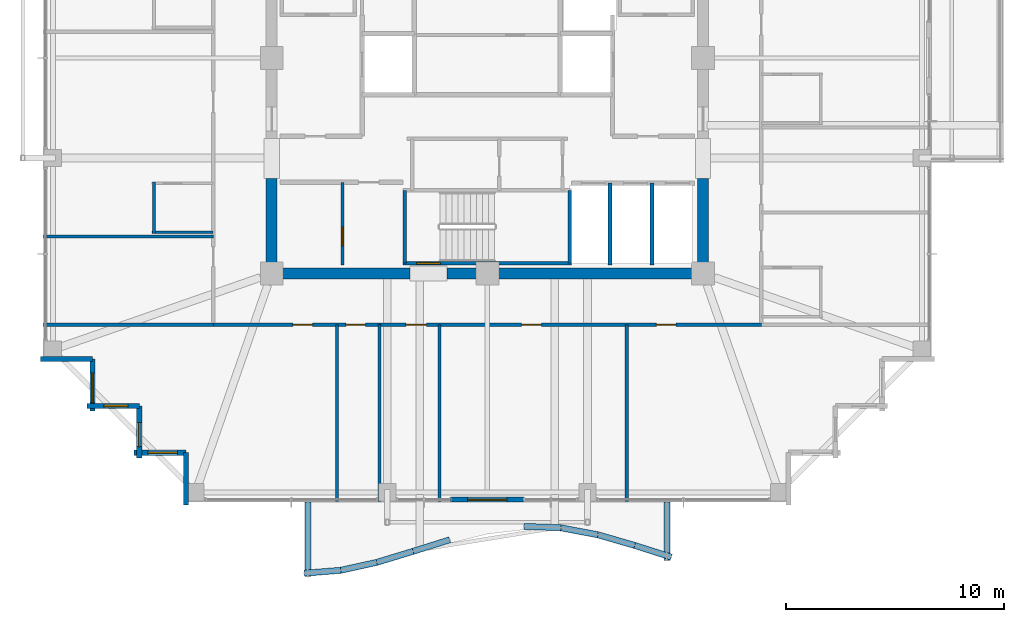
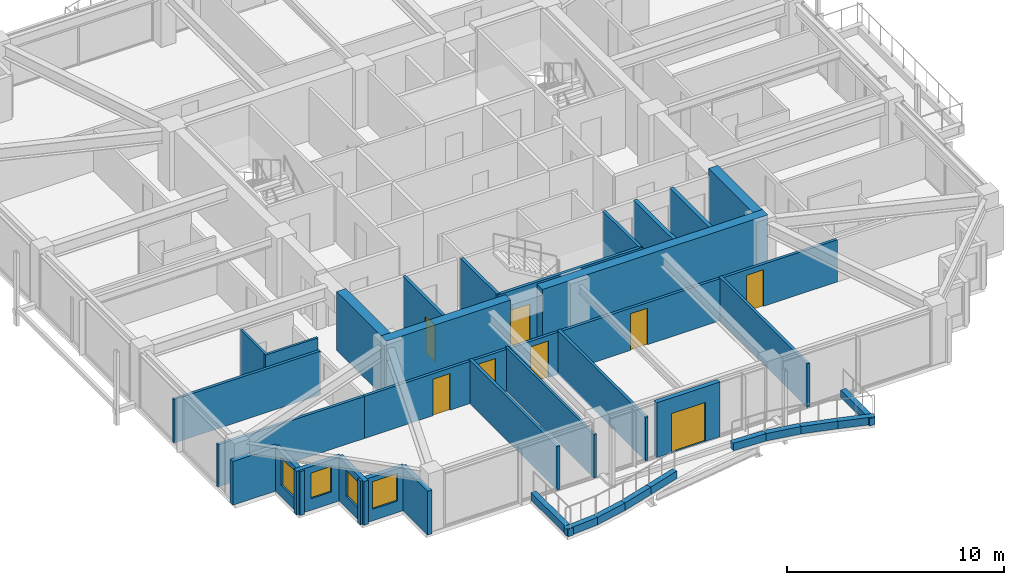
# One storey, part 32 of 38: 36 walls, 8 doors, 4 windows, 12 openings.
"""IFC4 building model written with IfcOpenShell, lengths in metres."""

import ifcopenshell
import ifcopenshell.guid

model = None  # the IFC model being written
_history = None  # IfcOwnerHistory: only IFC2X3 demands one
_inside = {}  # id of a spatial element -> (the spatial element, [elements in it])
_under = {}  # id of a project, library or spatial element -> (it, [spatial elements below it])
_declared = {}  # id of a project -> (the project, [libraries it declares])
_typed = {}  # id of a type object -> (the type object, [elements of that type])
_made_of = {}  # id of a material, layer set ... -> (it, [elements and type objects made of it])


def new_model(schema):
    """Start an empty IFC model of exactly this schema.

    Asked for "IFC4X3", IfcOpenShell would pick the latest addendum, in which some entities
    have other attributes; the version numbers below select the first issue.
    IFC2X3 requires an IfcOwnerHistory on every rooted entity: one is made here for all.
    """
    global model, _history
    if schema == "IFC4X3":
        model = ifcopenshell.file(schema_version=(4, 3, 0, 0))
    else:
        model = ifcopenshell.file(schema=schema)
    _inside.clear()
    _under.clear()
    _declared.clear()
    _typed.clear()
    _made_of.clear()
    _history = None
    if model.schema == "IFC2X3":
        org = make("IfcOrganization", Name="unknown")
        user = make(
            "IfcPersonAndOrganization",
            ThePerson=make("IfcPerson", FamilyName="unknown"),
            TheOrganization=org,
        )
        app = make(
            "IfcApplication",
            ApplicationDeveloper=org,
            Version="unknown",
            ApplicationFullName="unknown",
            ApplicationIdentifier="unknown",
        )
        _history = make(
            "IfcOwnerHistory",
            OwningUser=user,
            OwningApplication=app,
            ChangeAction="ADDED",
            CreationDate=0,
        )
    return model


def make(cls, **values):
    """One entity of the class cls with the attributes given. An attribute that is None is left unset."""
    return model.create_entity(
        cls, **{name: value for name, value in values.items() if value is not None}
    )


def rooted(cls, **values):
    """An entity with a GlobalId (a new one), such as an element, a storey or a relation."""
    return make(cls, GlobalId=ifcopenshell.guid.new(), OwnerHistory=_history, **values)


def si_unit(unit_type, name, prefix=None):
    """IfcSIUnit, for example si_unit("LENGTHUNIT", "METRE", prefix="MILLI")."""
    return make("IfcSIUnit", UnitType=unit_type, Prefix=prefix, Name=name)


def assignment(units):
    """IfcUnitAssignment: the units of a project."""
    return None if units is None else make("IfcUnitAssignment", Units=units)


def point(xyz):
    """IfcCartesianPoint."""
    return None if xyz is None else make("IfcCartesianPoint", Coordinates=xyz)


def direction(xyz):
    """IfcDirection."""
    return None if xyz is None else make("IfcDirection", DirectionRatios=xyz)


def frame(location, z_axis=None, x_axis=None):
    """IfcAxis2Placement3D, a coordinate frame: its origin and axes. An axis left out is left unset."""
    return make(
        "IfcAxis2Placement3D",
        Location=point(location),
        Axis=direction(z_axis),
        RefDirection=direction(x_axis),
    )


def frame_2d(location, x_axis=None):
    """IfcAxis2Placement2D, a coordinate frame in the plane: its origin and x axis."""
    return make(
        "IfcAxis2Placement2D", Location=point(location), RefDirection=direction(x_axis)
    )


def origin():
    """The frame at (0, 0, 0) with its axes left unset."""
    return frame((0.0, 0.0, 0.0))


def place(relative_to, where):
    """IfcLocalPlacement: puts the frame where relative to a parent placement (None: the world)."""
    return make(
        "IfcLocalPlacement", PlacementRelTo=relative_to, RelativePlacement=where
    )


def context(
    kind, dimensions, precision=None, world=None, true_north=None, identifier=None
):
    """IfcGeometricRepresentationContext, for example the 3D "Model" context."""
    return make(
        "IfcGeometricRepresentationContext",
        ContextIdentifier=identifier,
        ContextType=kind,
        CoordinateSpaceDimension=dimensions,
        Precision=precision,
        WorldCoordinateSystem=world,
        TrueNorth=true_north,
    )


def subcontext(parent, identifier, kind, view, scale=None):
    """IfcGeometricRepresentationSubContext, for example "Body" below "Model"."""
    return make(
        "IfcGeometricRepresentationSubContext",
        ContextIdentifier=identifier,
        ContextType=kind,
        ParentContext=parent,
        TargetScale=scale,
        TargetView=view,
    )


def project(units=None, contexts=None):
    """IfcProject with its units and contexts."""
    return rooted(
        "IfcProject",
        Name="project",
        RepresentationContexts=contexts,
        UnitsInContext=assignment(units),
    )


def spatial(cls, under=None, at=None, **own):
    """A site, building, storey or space (cls), placed at a placement, below another one or the project."""
    s = rooted(cls, ObjectPlacement=at, **own)
    if under is not None:
        _under.setdefault(under.id(), (under, []))[1].append(s)
    return s


def profile(cls, at=None, kind="AREA", **sizes):
    """A parametric profile (cls). Its sizes go by their IFC names, for example OverallWidth=200.0."""
    return make(cls, ProfileType=kind, Position=at, **sizes)


def rectangle(**sizes):
    """IfcRectangleProfileDef."""
    return profile("IfcRectangleProfileDef", **sizes)


def extrude(swept, where, along, depth):
    """IfcExtrudedAreaSolid: the profile swept, set in the frame where, extruded along a direction by depth."""
    return make(
        "IfcExtrudedAreaSolid",
        SweptArea=swept,
        Position=where,
        ExtrudedDirection=direction(along),
        Depth=depth,
    )


def shape(context_of_items, identifier, shape_type, items):
    """IfcShapeRepresentation: the items that make up one representation, for example the "Body"."""
    return make(
        "IfcShapeRepresentation",
        ContextOfItems=context_of_items,
        RepresentationIdentifier=identifier,
        RepresentationType=shape_type,
        Items=items,
    )


def material(Name=None, Category=None):
    """IfcMaterial."""
    return make("IfcMaterial", Name=Name, Category=Category)


def layer(
    of_material, thickness, ventilated=None, Name=None, Category=None, Priority=None
):
    """IfcMaterialLayer: one layer of a wall or slab, of a material (None: an air gap)."""
    return make(
        "IfcMaterialLayer",
        Material=of_material,
        LayerThickness=thickness,
        IsVentilated=ventilated,
        Name=Name,
        Category=Category,
        Priority=Priority,
    )


def layer_set(layers, Name=None):
    """IfcMaterialLayerSet."""
    return make("IfcMaterialLayerSet", MaterialLayers=layers, LayerSetName=Name)


def made_of(thing, what):
    """Note that an element or type object is made of a material, layer set ...; save() writes the relation."""
    if what is not None:
        _made_of.setdefault(what.id(), (what, []))[1].append(thing)
    return thing


def type_object(cls, material=None, **own):
    """A type object (cls), such as IfcWallType, which elements share."""
    return made_of(rooted(cls, **own), material)


def element(
    cls,
    number,
    at=None,
    inside=None,
    cuts=None,
    type_object=None,
    material=None,
    context=None,
    identifier="Body",
    shape_type=None,
    held_by="IfcProductDefinitionShape",
    body=None,
    shapes=None,
    **own,
):
    """One element of the class cls, such as IfcWall. Its Tag is "e" and its number.

    at: its placement. inside: the storey or other place that contains it. cuts: it is an
    opening in that element (IfcRelVoidsElement). A single representation is given by context,
    identifier, shape_type and body (its items); several are given by shapes. held_by: the class
    of the entity that holds the representations. save() writes the other relations.
    """
    e = rooted(cls, Tag="e%d" % number, ObjectPlacement=at, **own)
    if body is not None:
        shapes = [shape(context, identifier, shape_type, body)]
    if shapes is not None:
        e.Representation = make(held_by, Representations=shapes)
    if inside is not None:
        _inside.setdefault(inside.id(), (inside, []))[1].append(e)
    if cuts is not None:
        rooted(
            "IfcRelVoidsElement", RelatingBuildingElement=cuts, RelatedOpeningElement=e
        )
    if type_object is not None:
        _typed.setdefault(type_object.id(), (type_object, []))[1].append(e)
    return made_of(e, material)


def fill(opening, filler):
    """IfcRelFillsElement: the door or window that sits in an opening."""
    return rooted(
        "IfcRelFillsElement",
        RelatingOpeningElement=opening,
        RelatedBuildingElement=filler,
    )


def aggregate(whole, parts):
    """IfcRelAggregates: a whole, such as a stair, and the parts it consists of."""
    return rooted("IfcRelAggregates", RelatingObject=whole, RelatedObjects=parts)


def save(model, path):
    """Write the relations noted so far, then the file.

    IfcRelAggregates (storeys below a building ...), IfcRelContainedInSpatialStructure (elements
    in a storey), IfcRelDefinesByType, IfcRelAssociatesMaterial and IfcRelDeclares: one each for
    every whole, place, type object, material and project.
    """
    for whole, parts in _under.values():
        aggregate(whole, parts)
    for where, things in _inside.values():
        rooted(
            "IfcRelContainedInSpatialStructure",
            RelatedElements=things,
            RelatingStructure=where,
        )
    for kind, things in _typed.values():
        rooted("IfcRelDefinesByType", RelatedObjects=things, RelatingType=kind)
    for what, things in _made_of.values():
        rooted("IfcRelAssociatesMaterial", RelatedObjects=things, RelatingMaterial=what)
    for by, libraries in _declared.values():
        rooted("IfcRelDeclares", RelatingContext=by, RelatedDefinitions=libraries)
    model.write(path)


model = new_model("IFC4")

# Units and contexts
model_context = context("Model", 3, precision=1e-05, world=origin(), true_north=direction((0.0, 1.0)))
body_context = subcontext(model_context, "Body", "Model", "MODEL_VIEW")
ifc_project = project(units=[si_unit("LENGTHUNIT", "METRE"), si_unit("AREAUNIT", "SQUARE_METRE"), si_unit("VOLUMEUNIT", "CUBIC_METRE"), si_unit("PLANEANGLEUNIT", "RADIAN"), si_unit("MASSUNIT", "GRAM", prefix="KILO")], contexts=[model_context])

# Site, building, storey
site_placement = place(None, origin())
site = spatial("IfcSite", under=ifc_project, at=site_placement, CompositionType="ELEMENT")
building_placement = place(site_placement, origin())
building = spatial("IfcBuilding", under=site, at=building_placement, Name="Kolvaren Belvedere", CompositionType="ELEMENT")
storey_placement = place(building_placement, frame((0.0, 0.0, 206.39990234375)))
storey = spatial("IfcBuildingStorey", under=building, at=storey_placement, Name="L60", CompositionType="ELEMENT", Elevation=206.39990234375)

# Walls
ifc_material_1 = material(Name="Concrete C50/60", Category="concrete")
ifc_layer_1 = layer(ifc_material_1, 0.5)
ifc_layer_set_1 = layer_set([ifc_layer_1], Name="Concrete C50/60")
wall_type_1 = type_object("IfcWallType", Name="CW-CORE-500", PredefinedType="SHEAR", material=ifc_layer_set_1)
wall_1_placement = place(storey_placement, frame((10.14990234375, -9.89990234375, 0.0), z_axis=(0.0, 0.0, 1.0), x_axis=(-1.0, 0.0, 0.0)))
element("IfcWall", 1, at=wall_1_placement, inside=storey, type_object=wall_type_1, Name="L60 South Core Shear Wall 1", PredefinedType="SHEAR", context=body_context, shape_type="SweptSolid", body=[
    extrude(rectangle(XDim=12.010009765625, YDim=0.5, at=frame_2d((6.0048828125, 0.0))), origin(), (0.0, 0.0, 1.0), 3.300048828125),
])
wall_2_placement = place(storey_placement, frame((-3.5400390625, -9.89990234375, 0.0), z_axis=(0.0, 0.0, 1.0), x_axis=(-1.0, 0.0, 0.0)))
element("IfcWall", 2, at=wall_2_placement, inside=storey, type_object=wall_type_1, Name="L60 South Core Shear Wall 2", PredefinedType="SHEAR", context=body_context, shape_type="SweptSolid", body=[
    extrude(rectangle(XDim=6.60986328125, YDim=0.5, at=frame_2d((3.304931640625, 0.0))), origin(), (0.0, 0.0, 1.0), 3.300048828125),
])
for number, where, z_axis, x_axis, name in (
    (3, (-9.89990234375, -9.64990234375, 0.0), (0.0, 0.0, 1.0), (0.0, 1.0, 0.0), "L60 West Core Shear Wall 1"),
    (4, (9.89990234375, -9.64990234375, 0.0), (0.0, 0.0, 1.0), (0.0, 1.0, 0.0), "L60 East Core Shear Wall 1"),
):
    element("IfcWall", number, at=place(storey_placement, frame(where, z_axis=z_axis, x_axis=x_axis)), inside=storey, type_object=wall_type_1, Name=name, PredefinedType="SHEAR", context=body_context, shape_type="SweptSolid", body=[
        extrude(rectangle(XDim=4.099853515625, YDim=0.5, at=frame_2d((2.0498046875, 0.0))), origin(), (0.0, 0.0, 1.0), 3.300048828125),
    ])

# Wall, opening, door
ifc_material_2 = material(Name="Concrete C50/60", Category="concrete")
ifc_layer_2 = layer(ifc_material_2, 0.159912109375)
ifc_layer_set_2 = layer_set([ifc_layer_2], Name="Concrete C50/60")
wall_type_2 = type_object("IfcWallType", Name="CW-STAIR-160", PredefinedType="SHEAR", material=ifc_layer_set_2)
wall_3_placement = place(storey_placement, frame((3.860107421875, -9.429931640625, 0.0), z_axis=(0.0, 0.0, 1.0), x_axis=(-1.0, 0.0, 0.0)))
wall_3 = element("IfcWall", 5, at=wall_3_placement, inside=storey, type_object=wall_type_2, Name="L60 Stair ST-3 South Shear Wall", PredefinedType="SHEAR", context=body_context, shape_type="SweptSolid", body=[
    extrude(rectangle(XDim=7.72021484375, YDim=0.159912109375, at=frame_2d((3.860107421875, 0.0))), origin(), (0.0, 0.0, 1.0), 3.300048828125),
])
opening_1_placement = place(wall_3_placement, frame((6.010009765625, 0.0, 0.0)))
opening_1 = element("IfcOpeningElement", 6, at=opening_1_placement, cuts=wall_3, Name="Opening D-FD90", PredefinedType="OPENING", context=body_context, shape_type="SweptSolid", body=[
    extrude(rectangle(XDim=1.10009765625, YDim=2.199951171875, at=frame_2d((0.550048828125, 1.10009765625))), frame((0.0, 0.08984375, 0.0), z_axis=(0.0, -1.0, 0.0), x_axis=(1.0, 0.0, 0.0)), (0.0, 0.0, 1.0), 0.179931640625),
])
ifc_material_3 = material(Name="Painted hollow stainless steel", Category="steel")
door_type_1 = type_object("IfcDoorType", Name="DR-FD90-1100", OperationType="NOTDEFINED", PredefinedType="DOOR", material=ifc_material_3)
door_1_placement = place(opening_1_placement, origin())
door_1 = element("IfcDoor", 7, at=door_1_placement, inside=storey, type_object=door_type_1, Name="L60 Stair ST-3 Exit Door", OperationType="SINGLE_SWING_RIGHT", OverallHeight=2.199951171875, OverallWidth=1.10009765625, PredefinedType="DOOR", context=body_context, shape_type="SweptSolid", body=[
    extrude(rectangle(XDim=1.10009765625, YDim=2.199951171875, at=frame_2d((0.550048828125, 1.10009765625))), frame((0.0, 0.02490234375, 0.0), z_axis=(0.0, -1.0, 0.0), x_axis=(1.0, 0.0, 0.0)), (0.0, 0.0, 1.0), 0.050048828125),
])
fill(opening_1, door_1)

# Walls
for number, where, z_axis, x_axis, name in (
    (8, (-3.780029296875, -9.429931640625, 0.0), (0.0, 0.0, 1.0), (0.0, 1.0, 0.0), "L60 Stair ST-3 West Shear Wall"),
    (9, (3.780029296875, -9.429931640625, 0.0), (0.0, 0.0, 1.0), (0.0, 1.0, 0.0), "L60 Stair ST-3 East Shear Wall"),
):
    element("IfcWall", number, at=place(storey_placement, frame(where, z_axis=z_axis, x_axis=x_axis)), inside=storey, type_object=wall_type_2, Name=name, PredefinedType="SHEAR", context=body_context, shape_type="SweptSolid", body=[
        extrude(rectangle(XDim=3.349853515625, YDim=0.159912109375, at=frame_2d((1.6748046875, 0.0))), origin(), (0.0, 0.0, 1.0), 3.300048828125),
    ])

# Wall, openings, doors
ifc_material_4 = material(Name="Gypsum fire-rated partition assembly", Category="gypsum")
ifc_layer_3 = layer(ifc_material_4, 0.14990234375)
ifc_layer_set_3 = layer_set([ifc_layer_3], Name="Gypsum fire-rated partition assembly")
wall_type_3 = type_object("IfcWallType", Name="WL-CORR-150", PredefinedType="PARTITIONING", material=ifc_layer_set_3)
wall_4_placement = place(storey_placement, frame((-12.580078125, -12.260009765625, 0.0), z_axis=(0.0, 0.0, 1.0), x_axis=(1.0, 0.0, 0.0)))
wall_4 = element("IfcWall", 10, at=wall_4_placement, inside=storey, type_object=wall_type_3, Name="L60 South Corridor Wall", PredefinedType="PARTITIONING", context=body_context, shape_type="SweptSolid", body=[
    extrude(rectangle(XDim=25.16015625, YDim=0.14990234375, at=frame_2d((12.580078125, 0.0))), origin(), (0.0, 0.0, 1.0), 2.369140625),
])
opening_2_placement = place(wall_4_placement, frame((3.656982421875, 0.0, 0.0)))
opening_2 = element("IfcOpeningElement", 11, at=opening_2_placement, cuts=wall_4, Name="Opening D-INT90", PredefinedType="OPENING", context=body_context, shape_type="SweptSolid", body=[
    extrude(rectangle(XDim=0.89990234375, YDim=2.06005859375, at=frame_2d((0.449951171875, 1.030029296875))), frame((0.0, 0.0849609375, 0.0), z_axis=(0.0, -1.0, 0.0), x_axis=(1.0, 0.0, 0.0)), (0.0, 0.0, 1.0), 0.169921875),
])
opening_3_placement = place(wall_4_placement, frame((6.081787109375, 0.0, 0.0)))
opening_3 = element("IfcOpeningElement", 12, at=opening_3_placement, cuts=wall_4, Name="Opening D-INT90", PredefinedType="OPENING", context=body_context, shape_type="SweptSolid", body=[
    extrude(rectangle(XDim=0.89990234375, YDim=2.06005859375, at=frame_2d((0.449951171875, 1.030029296875))), frame((0.0, 0.0849609375, 0.0), z_axis=(0.0, -1.0, 0.0), x_axis=(1.0, 0.0, 0.0)), (0.0, 0.0, 1.0), 0.169921875),
])
opening_4_placement = place(wall_4_placement, frame((8.835693359375, 0.0, 0.0)))
opening_4 = element("IfcOpeningElement", 13, at=opening_4_placement, cuts=wall_4, Name="Opening D-INT95", PredefinedType="OPENING", context=body_context, shape_type="SweptSolid", body=[
    extrude(rectangle(XDim=0.949951171875, YDim=2.06005859375, at=frame_2d((0.47509765625, 1.030029296875))), frame((0.0, 0.0849609375, 0.0), z_axis=(0.0, -1.0, 0.0), x_axis=(1.0, 0.0, 0.0)), (0.0, 0.0, 1.0), 0.169921875),
])
opening_5_placement = place(wall_4_placement, frame((14.159912109375, 0.0, 0.0)))
opening_5 = element("IfcOpeningElement", 14, at=opening_5_placement, cuts=wall_4, Name="Opening D-INT90", PredefinedType="OPENING", context=body_context, shape_type="SweptSolid", body=[
    extrude(rectangle(XDim=0.89990234375, YDim=2.06005859375, at=frame_2d((0.449951171875, 1.030029296875))), frame((0.0, 0.0849609375, 0.0), z_axis=(0.0, -1.0, 0.0), x_axis=(1.0, 0.0, 0.0)), (0.0, 0.0, 1.0), 0.169921875),
])
opening_6_placement = place(wall_4_placement, frame((20.341064453125, 0.0, 0.0)))
opening_6 = element("IfcOpeningElement", 15, at=opening_6_placement, cuts=wall_4, Name="Opening D-INT90", PredefinedType="OPENING", context=body_context, shape_type="SweptSolid", body=[
    extrude(rectangle(XDim=0.89990234375, YDim=2.06005859375, at=frame_2d((0.449951171875, 1.030029296875))), frame((0.0, 0.0849609375, 0.0), z_axis=(0.0, -1.0, 0.0), x_axis=(1.0, 0.0, 0.0)), (0.0, 0.0, 1.0), 0.169921875),
])
ifc_material_5 = material(Name="Stained Pacific white oak", Category="timber")
door_type_2 = type_object("IfcDoorType", Name="DR-INT-900", OperationType="NOTDEFINED", PredefinedType="DOOR", material=ifc_material_5)
door_2_placement = place(opening_2_placement, origin())
door_2 = element("IfcDoor", 16, at=door_2_placement, inside=storey, type_object=door_type_2, Name="L60 Wellness Yoga & Reading Gym 6001 Door", OperationType="SINGLE_SWING_LEFT", OverallHeight=2.06005859375, OverallWidth=0.89990234375, PredefinedType="DOOR", context=body_context, shape_type="SweptSolid", body=[
    extrude(rectangle(XDim=0.89990234375, YDim=2.06005859375, at=frame_2d((0.449951171875, 1.030029296875))), frame((0.0, 0.02490234375, 0.0), z_axis=(0.0, -1.0, 0.0), x_axis=(1.0, 0.0, 0.0)), (0.0, 0.0, 1.0), 0.050048828125),
])
fill(opening_2, door_2)
door_3_placement = place(opening_3_placement, origin())
door_3 = element("IfcDoor", 17, at=door_3_placement, inside=storey, type_object=door_type_2, Name="L60 Housekeeping Door", OperationType="SINGLE_SWING_RIGHT", OverallHeight=2.06005859375, OverallWidth=0.89990234375, PredefinedType="DOOR", context=body_context, shape_type="SweptSolid", body=[
    extrude(rectangle(XDim=0.89990234375, YDim=2.06005859375, at=frame_2d((0.449951171875, 1.030029296875))), frame((0.0, 0.02490234375, 0.0), z_axis=(0.0, -1.0, 0.0), x_axis=(1.0, 0.0, 0.0)), (0.0, 0.0, 1.0), 0.050048828125),
])
fill(opening_3, door_3)
door_4_placement = place(opening_5_placement, origin())
door_4 = element("IfcDoor", 18, at=door_4_placement, inside=storey, type_object=door_type_2, Name="L60 Guest Tea & Espresso Kitchen 6002 Door", OperationType="SINGLE_SWING_RIGHT", OverallHeight=2.06005859375, OverallWidth=0.89990234375, PredefinedType="DOOR", context=body_context, shape_type="SweptSolid", body=[
    extrude(rectangle(XDim=0.89990234375, YDim=2.06005859375, at=frame_2d((0.449951171875, 1.030029296875))), frame((0.0, 0.02490234375, 0.0), z_axis=(0.0, -1.0, 0.0), x_axis=(1.0, 0.0, 0.0)), (0.0, 0.0, 1.0), 0.050048828125),
])
fill(opening_5, door_4)
door_5_placement = place(opening_6_placement, origin())
door_5 = element("IfcDoor", 19, at=door_5_placement, inside=storey, type_object=door_type_2, Name="L60 Private Hospitality Meeting Room 6003 Door", OperationType="SINGLE_SWING_LEFT", OverallHeight=2.06005859375, OverallWidth=0.89990234375, PredefinedType="DOOR", context=body_context, shape_type="SweptSolid", body=[
    extrude(rectangle(XDim=0.89990234375, YDim=2.06005859375, at=frame_2d((0.449951171875, 1.030029296875))), frame((0.0, 0.02490234375, 0.0), z_axis=(0.0, -1.0, 0.0), x_axis=(1.0, 0.0, 0.0)), (0.0, 0.0, 1.0), 0.050048828125),
])
fill(opening_6, door_5)
ifc_material_6 = material(Name="Stained Pacific white oak", Category="timber")
door_type_3 = type_object("IfcDoorType", Name="DR-INT-950", OperationType="NOTDEFINED", PredefinedType="DOOR", material=ifc_material_6)
door_6_placement = place(opening_4_placement, origin())
door_6 = element("IfcDoor", 20, at=door_6_placement, inside=storey, type_object=door_type_3, Name="L60 Accessible Washroom Door", OperationType="SINGLE_SWING_LEFT", OverallHeight=2.06005859375, OverallWidth=0.949951171875, PredefinedType="DOOR", context=body_context, shape_type="SweptSolid", body=[
    extrude(rectangle(XDim=0.949951171875, YDim=2.06005859375, at=frame_2d((0.47509765625, 1.030029296875))), frame((0.0, 0.02490234375, 0.0), z_axis=(0.0, -1.0, 0.0), x_axis=(1.0, 0.0, 0.0)), (0.0, 0.0, 1.0), 0.050048828125),
])
fill(opening_4, door_6)

# Wall, opening, door
ifc_material_7 = material(Name="Insulated pale-metal facade wall assembly", Category="aluminium")
ifc_layer_4 = layer(ifc_material_7, 0.239990234375)
ifc_layer_set_4 = layer_set([ifc_layer_4], Name="Insulated pale-metal facade wall assembly")
wall_type_4 = type_object("IfcWallType", Name="WL-EXT-240", PredefinedType="STANDARD", material=ifc_layer_set_4)
wall_5_placement = place(storey_placement, frame((1.679931640625, -20.280029296875, 0.0), z_axis=(0.0, 0.0, 1.0), x_axis=(-1.0, 0.0, 0.0)))
wall_5 = element("IfcWall", 21, at=wall_5_placement, inside=storey, type_object=wall_type_4, Name="L60 South Terrace Portal Wall", PredefinedType="STANDARD", context=body_context, shape_type="SweptSolid", body=[
    extrude(rectangle(XDim=3.35986328125, YDim=0.239990234375, at=frame_2d((1.679931640625, 0.0))), origin(), (0.0, 0.0, 1.0), 3.080078125),
])
opening_7_placement = place(wall_5_placement, frame((0.780029296875, 0.0, 0.0)))
opening_7 = element("IfcOpeningElement", 22, at=opening_7_placement, cuts=wall_5, Name="Opening DB-1800", PredefinedType="OPENING", context=body_context, shape_type="SweptSolid", body=[
    extrude(rectangle(XDim=1.800048828125, YDim=2.199951171875, at=frame_2d((0.89990234375, 1.10009765625))), frame((0.0, 0.1298828125, 0.0), z_axis=(0.0, -1.0, 0.0), x_axis=(1.0, 0.0, 0.0)), (0.0, 0.0, 1.0), 0.260009765625),
])
ifc_material_8 = material(Name="Thermally broken pale-metal aluminium & low-iron glass", Category="aluminium")
door_type_4 = type_object("IfcDoorType", Name="DR-BAL-1800", OperationType="DOUBLE_DOOR_SLIDING", PredefinedType="DOOR", material=ifc_material_8)
door_7_placement = place(opening_7_placement, origin())
door_7 = element("IfcDoor", 23, at=door_7_placement, inside=storey, type_object=door_type_4, Name="L60 South Planted Terrace Sliding Door", OperationType="DOUBLE_DOOR_SLIDING", OverallHeight=2.199951171875, OverallWidth=1.800048828125, PredefinedType="DOOR", context=body_context, shape_type="SweptSolid", body=[
    extrude(rectangle(XDim=1.800048828125, YDim=2.199951171875, at=frame_2d((0.89990234375, 1.10009765625))), frame((0.0, 0.02490234375, 0.0), z_axis=(0.0, -1.0, 0.0), x_axis=(1.0, 0.0, 0.0)), (0.0, 0.0, 1.0), 0.050048828125),
])
fill(opening_7, door_7)

# Wall
wall_6_placement = place(storey_placement, frame((-18.1298828125, -13.830078125, 0.0), z_axis=(0.0, 0.0, 1.0), x_axis=(-1.0, 0.0, 0.0)))
element("IfcWall", 24, at=wall_6_placement, inside=storey, type_object=wall_type_4, Name="L60 Serrated Corner Facade Wall 23", PredefinedType="STANDARD", context=body_context, shape_type="SweptSolid", body=[
    extrude(rectangle(XDim=2.39013671875, YDim=0.239990234375, at=frame_2d((1.195068359375, 0.0))), origin(), (0.0, 0.0, 1.0), 2.463134765625),
])

# Wall, opening, window
wall_7_placement = place(storey_placement, frame((-18.1298828125, -16.219970703125, 0.0), z_axis=(0.0, 0.0, 1.0), x_axis=(0.0, 1.0, 0.0)))
wall_7 = element("IfcWall", 25, at=wall_7_placement, inside=storey, type_object=wall_type_4, Name="L60 Serrated Corner Facade Wall 24", PredefinedType="STANDARD", context=body_context, shape_type="SweptSolid", body=[
    extrude(rectangle(XDim=2.389892578125, YDim=0.239990234375, at=frame_2d((1.19482421875, 0.0))), origin(), (0.0, 0.0, 1.0), 2.463134765625),
])
opening_8_placement = place(wall_7_placement, frame((0.39990234375, 0.0, 0.64990234375)))
opening_8 = element("IfcOpeningElement", 26, at=opening_8_placement, cuts=wall_7, Name="Opening W-1350", PredefinedType="OPENING", context=body_context, shape_type="SweptSolid", body=[
    extrude(rectangle(XDim=1.35009765625, YDim=1.550048828125, at=frame_2d((0.675048828125, 0.77490234375))), frame((0.0, 0.1298828125, 0.0), z_axis=(0.0, -1.0, 0.0), x_axis=(1.0, 0.0, 0.0)), (0.0, 0.0, 1.0), 0.260009765625),
])
ifc_material_9 = material(Name="Low-iron triple insulated glass", Category="glass")
window_type_1 = type_object("IfcWindowType", Name="WN-CORN-1350", PartitioningType="SINGLE_PANEL", PredefinedType="WINDOW", material=ifc_material_9)
window_1_placement = place(opening_8_placement, origin())
window_1 = element("IfcWindow", 27, at=window_1_placement, inside=storey, type_object=window_type_1, Name="L60 Serrated Corner Vision Window 24", OverallHeight=1.550048828125, OverallWidth=1.35009765625, PartitioningType="SINGLE_PANEL", PredefinedType="WINDOW", context=body_context, shape_type="SweptSolid", body=[
    extrude(rectangle(XDim=1.35009765625, YDim=1.550048828125, at=frame_2d((0.675048828125, 0.77490234375))), frame((0.0, 0.030029296875, 0.0), z_axis=(0.0, -1.0, 0.0), x_axis=(1.0, 0.0, 0.0)), (0.0, 0.0, 1.0), 0.06005859375),
])
fill(opening_8, window_1)

wall_8_placement = place(storey_placement, frame((-15.97998046875, -15.97998046875, 0.0), z_axis=(0.0, 0.0, 1.0), x_axis=(-1.0, 0.0, 0.0)))
wall_8 = element("IfcWall", 28, at=wall_8_placement, inside=storey, type_object=wall_type_4, Name="L60 Serrated Corner Facade Wall 25", PredefinedType="STANDARD", context=body_context, shape_type="SweptSolid", body=[
    extrude(rectangle(XDim=2.39013671875, YDim=0.239990234375, at=frame_2d((1.195068359375, 0.0))), origin(), (0.0, 0.0, 1.0), 2.463134765625),
])
opening_9_placement = place(wall_8_placement, frame((0.52490234375, 0.0, 0.64990234375)))
opening_9 = element("IfcOpeningElement", 29, at=opening_9_placement, cuts=wall_8, Name="Opening W-1100", PredefinedType="OPENING", context=body_context, shape_type="SweptSolid", body=[
    extrude(rectangle(XDim=1.10009765625, YDim=1.449951171875, at=frame_2d((0.550048828125, 0.72509765625))), frame((0.0, 0.1298828125, 0.0), z_axis=(0.0, -1.0, 0.0), x_axis=(1.0, 0.0, 0.0)), (0.0, 0.0, 1.0), 0.260009765625),
])
ifc_material_10 = material(Name="Low-iron triple insulated glass", Category="glass")
window_type_2 = type_object("IfcWindowType", Name="WN-CORN-1100", PartitioningType="SINGLE_PANEL", PredefinedType="WINDOW", material=ifc_material_10)
window_2_placement = place(opening_9_placement, origin())
window_2 = element("IfcWindow", 30, at=window_2_placement, inside=storey, type_object=window_type_2, Name="L60 Serrated Corner Vision Window 25", OverallHeight=1.449951171875, OverallWidth=1.10009765625, PartitioningType="SINGLE_PANEL", PredefinedType="WINDOW", context=body_context, shape_type="SweptSolid", body=[
    extrude(rectangle(XDim=1.10009765625, YDim=1.449951171875, at=frame_2d((0.550048828125, 0.72509765625))), frame((0.0, 0.030029296875, 0.0), z_axis=(0.0, -1.0, 0.0), x_axis=(1.0, 0.0, 0.0)), (0.0, 0.0, 1.0), 0.06005859375),
])
fill(opening_9, window_2)

wall_9_placement = place(storey_placement, frame((-15.97998046875, -18.3701171875, 0.0), z_axis=(0.0, 0.0, 1.0), x_axis=(0.0, 1.0, 0.0)))
wall_9 = element("IfcWall", 31, at=wall_9_placement, inside=storey, type_object=wall_type_4, Name="L60 Serrated Corner Facade Wall 26", PredefinedType="STANDARD", context=body_context, shape_type="SweptSolid", body=[
    extrude(rectangle(XDim=2.39013671875, YDim=0.239990234375, at=frame_2d((1.195068359375, 0.0))), origin(), (0.0, 0.0, 1.0), 2.463134765625),
])
opening_10_placement = place(wall_9_placement, frame((0.52490234375, 0.0, 0.64990234375)))
opening_10 = element("IfcOpeningElement", 32, at=opening_10_placement, cuts=wall_9, Name="Opening W-1100", PredefinedType="OPENING", context=body_context, shape_type="SweptSolid", body=[
    extrude(rectangle(XDim=1.10009765625, YDim=1.449951171875, at=frame_2d((0.550048828125, 0.72509765625))), frame((0.0, 0.1298828125, 0.0), z_axis=(0.0, -1.0, 0.0), x_axis=(1.0, 0.0, 0.0)), (0.0, 0.0, 1.0), 0.260009765625),
])
window_3_placement = place(opening_10_placement, origin())
window_3 = element("IfcWindow", 33, at=window_3_placement, inside=storey, type_object=window_type_2, Name="L60 Serrated Corner Vision Window 26", OverallHeight=1.449951171875, OverallWidth=1.10009765625, PartitioningType="SINGLE_PANEL", PredefinedType="WINDOW", context=body_context, shape_type="SweptSolid", body=[
    extrude(rectangle(XDim=1.10009765625, YDim=1.449951171875, at=frame_2d((0.550048828125, 0.72509765625))), frame((0.0, 0.030029296875, 0.0), z_axis=(0.0, -1.0, 0.0), x_axis=(1.0, 0.0, 0.0)), (0.0, 0.0, 1.0), 0.06005859375),
])
fill(opening_10, window_3)

wall_10_placement = place(storey_placement, frame((-13.830078125, -18.1298828125, 0.0), z_axis=(0.0, 0.0, 1.0), x_axis=(-1.0, 0.0, 0.0)))
wall_10 = element("IfcWall", 34, at=wall_10_placement, inside=storey, type_object=wall_type_4, Name="L60 Serrated Corner Facade Wall 27", PredefinedType="STANDARD", context=body_context, shape_type="SweptSolid", body=[
    extrude(rectangle(XDim=2.389892578125, YDim=0.239990234375, at=frame_2d((1.19482421875, 0.0))), origin(), (0.0, 0.0, 1.0), 2.463134765625),
])
opening_11_placement = place(wall_10_placement, frame((0.39990234375, 0.0, 0.64990234375)))
opening_11 = element("IfcOpeningElement", 35, at=opening_11_placement, cuts=wall_10, Name="Opening W-1350", PredefinedType="OPENING", context=body_context, shape_type="SweptSolid", body=[
    extrude(rectangle(XDim=1.35009765625, YDim=1.550048828125, at=frame_2d((0.675048828125, 0.77490234375))), frame((0.0, 0.1298828125, 0.0), z_axis=(0.0, -1.0, 0.0), x_axis=(1.0, 0.0, 0.0)), (0.0, 0.0, 1.0), 0.260009765625),
])
window_4_placement = place(opening_11_placement, origin())
window_4 = element("IfcWindow", 36, at=window_4_placement, inside=storey, type_object=window_type_1, Name="L60 Serrated Corner Vision Window 27", OverallHeight=1.550048828125, OverallWidth=1.35009765625, PartitioningType="SINGLE_PANEL", PredefinedType="WINDOW", context=body_context, shape_type="SweptSolid", body=[
    extrude(rectangle(XDim=1.35009765625, YDim=1.550048828125, at=frame_2d((0.675048828125, 0.77490234375))), frame((0.0, 0.030029296875, 0.0), z_axis=(0.0, -1.0, 0.0), x_axis=(1.0, 0.0, 0.0)), (0.0, 0.0, 1.0), 0.06005859375),
])
fill(opening_11, window_4)

# Wall
wall_11_placement = place(storey_placement, frame((-13.830078125, -20.52001953125, 0.0), z_axis=(0.0, 0.0, 1.0), x_axis=(0.0, 1.0, 0.0)))
element("IfcWall", 37, at=wall_11_placement, inside=storey, type_object=wall_type_4, Name="L60 Serrated Corner Facade Wall 28", PredefinedType="STANDARD", context=body_context, shape_type="SweptSolid", body=[
    extrude(rectangle(XDim=2.39013671875, YDim=0.239990234375, at=frame_2d((1.195068359375, 0.0))), origin(), (0.0, 0.0, 1.0), 2.463134765625),
])

# Wall, opening, door
ifc_material_11 = material(Name="Gypsum acoustic partition assembly", Category="gypsum")
ifc_layer_5 = layer(ifc_material_11, 0.14990234375)
ifc_layer_set_5 = layer_set([ifc_layer_5], Name="Gypsum acoustic partition assembly")
wall_type_5 = type_object("IfcWallType", Name="WL-PART-150", PredefinedType="PARTITIONING", material=ifc_layer_set_5)
wall_12_placement = place(storey_placement, frame((-6.64990234375, -9.52001953125, 0.0), z_axis=(0.0, 0.0, 1.0), x_axis=(0.0, 1.0, 0.0)))
wall_12 = element("IfcWall", 38, at=wall_12_placement, inside=storey, type_object=wall_type_5, Name="L60 Reclaimed Mid Divider", PredefinedType="PARTITIONING", context=body_context, shape_type="SweptSolid", body=[
    extrude(rectangle(XDim=3.800048828125, YDim=0.14990234375, at=frame_2d((1.89990234375, 0.0))), origin(), (0.0, 0.0, 1.0), 3.080078125),
])
opening_12_placement = place(wall_12_placement, frame((0.89990234375, 0.0, 0.0)))
opening_12 = element("IfcOpeningElement", 39, at=opening_12_placement, cuts=wall_12, Name="Opening D-INT85", PredefinedType="OPENING", context=body_context, shape_type="SweptSolid", body=[
    extrude(rectangle(XDim=0.85009765625, YDim=2.030029296875, at=frame_2d((0.425048828125, 1.01513671875))), frame((0.0, 0.0849609375, 0.0), z_axis=(0.0, -1.0, 0.0), x_axis=(1.0, 0.0, 0.0)), (0.0, 0.0, 1.0), 0.169921875),
])
ifc_material_12 = material(Name="Stained Pacific white oak", Category="timber")
door_type_5 = type_object("IfcDoorType", Name="DR-INT-850", OperationType="NOTDEFINED", PredefinedType="DOOR", material=ifc_material_12)
door_8_placement = place(opening_12_placement, origin())
door_8 = element("IfcDoor", 40, at=door_8_placement, inside=storey, type_object=door_type_5, Name="L60 Conservatory Alcove Door", OperationType="SINGLE_SWING_RIGHT", OverallHeight=2.030029296875, OverallWidth=0.85009765625, PredefinedType="DOOR", context=body_context, shape_type="SweptSolid", body=[
    extrude(rectangle(XDim=0.85009765625, YDim=2.030029296875, at=frame_2d((0.425048828125, 1.01513671875))), frame((0.0, 0.02490234375, 0.0), z_axis=(0.0, -1.0, 0.0), x_axis=(1.0, 0.0, 0.0)), (0.0, 0.0, 1.0), 0.050048828125),
])
fill(opening_12, door_8)

# Walls
wall_13_placement = place(storey_placement, frame((-20.3798828125, -12.260009765625, 0.0), z_axis=(0.0, 0.0, 1.0), x_axis=(1.0, 0.0, 0.0)))
element("IfcWall", 41, at=wall_13_placement, inside=storey, type_object=wall_type_5, Name="L60 Wing Divider PW-L60-QSW", PredefinedType="PARTITIONING", context=body_context, shape_type="SweptSolid", body=[
    extrude(rectangle(XDim=7.7998046875, YDim=0.14990234375, at=frame_2d((3.89990234375, 0.0))), origin(), (0.0, 0.0, 1.0), 2.369140625),
])
for number, where, z_axis, x_axis, name in (
    (42, (-6.89990234375, -20.3798828125, 0.0), (0.0, 0.0, 1.0), (0.0, 1.0, 0.0), "L60 South Suite Demising Wall 1"),
    (43, (-2.199951171875, -20.3798828125, 0.0), (0.0, 0.0, 1.0), (0.0, 1.0, 0.0), "L60 South Suite Demising Wall 2"),
    (44, (6.39990234375, -20.3798828125, 0.0), (0.0, 0.0, 1.0), (0.0, 1.0, 0.0), "L60 South Suite Demising Wall 3"),
):
    element("IfcWall", number, at=place(storey_placement, frame(where, z_axis=z_axis, x_axis=x_axis)), inside=storey, type_object=wall_type_5, Name=name, PredefinedType="PARTITIONING", context=body_context, shape_type="SweptSolid", body=[
        extrude(rectangle(XDim=8.119873046875, YDim=0.14990234375, at=frame_2d((4.06005859375, 0.0))), origin(), (0.0, 0.0, 1.0), 2.453125),
    ])
wall_14_placement = place(storey_placement, frame((-20.3798828125, -8.199951171875, 0.0), z_axis=(0.0, 0.0, 1.0), x_axis=(1.0, 0.0, 0.0)))
element("IfcWall", 45, at=wall_14_placement, inside=storey, type_object=wall_type_5, Name="L60 West Suite Demising Wall 1", PredefinedType="PARTITIONING", context=body_context, shape_type="SweptSolid", body=[
    extrude(rectangle(XDim=7.7998046875, YDim=0.14990234375, at=frame_2d((3.89990234375, 0.0))), origin(), (0.0, 0.0, 1.0), 2.453125),
])
ifc_material_13 = material(Name="Precast concrete C40/50", Category="concrete")
ifc_layer_6 = layer(ifc_material_13, 0.300048828125)
ifc_layer_set_6 = layer_set([ifc_layer_6], Name="Precast concrete C40/50")
wall_type_6 = type_object("IfcWallType", Name="WL-PLANTER-300", PredefinedType="PARAPET", material=ifc_layer_set_6)
wall_15_placement = place(storey_placement, frame((-8.41259765625, -23.660400390625, -0.039794921875), z_axis=(0.0, 0.0, 1.0), x_axis=(0.99685522818, 0.079244268248, 0.0)))
element("IfcWall", 46, at=wall_15_placement, inside=storey, type_object=wall_type_6, Name="L60 Precast Structural Planter Wall BAL-S-1", PredefinedType="PARAPET", context=body_context, shape_type="SweptSolid", body=[
    extrude(rectangle(XDim=1.685302734375, YDim=0.280029296875, at=frame_2d((0.8427734375, 0.0))), origin(), (0.0, 0.0, 1.0), 0.419921875),
])
wall_16_placement = place(storey_placement, frame((-6.754150390625, -23.530029296875, -0.039794921875), z_axis=(0.0, 0.0, 1.0), x_axis=(0.976876857632, 0.213802724545, 0.0)))
element("IfcWall", 47, at=wall_16_placement, inside=storey, type_object=wall_type_6, Name="L60 Precast Structural Planter Wall BAL-S-2", PredefinedType="PARAPET", context=body_context, shape_type="SweptSolid", body=[
    extrude(rectangle(XDim=1.7197265625, YDim=0.280029296875, at=frame_2d((0.85986328125, 0.0))), origin(), (0.0, 0.0, 1.0), 0.419921875),
])
wall_17_placement = place(storey_placement, frame((-5.086669921875, -23.16552734375, -0.039794921875), z_axis=(0.0, 0.0, 1.0), x_axis=(0.956771481005, 0.290840734999, 0.0)))
element("IfcWall", 48, at=wall_17_placement, inside=storey, type_object=wall_type_6, Name="L60 Precast Structural Planter Wall BAL-S-3", PredefinedType="PARAPET", context=body_context, shape_type="SweptSolid", body=[
    extrude(rectangle(XDim=1.756103515625, YDim=0.280029296875, at=frame_2d((0.8779296875, 0.0))), origin(), (0.0, 0.0, 1.0), 0.419921875),
])
wall_18_placement = place(storey_placement, frame((-3.407958984375, -22.6552734375, -0.039794921875), z_axis=(0.0, 0.0, 1.0), x_axis=(0.954069594374, 0.299585061529, 0.0)))
element("IfcWall", 49, at=wall_18_placement, inside=storey, type_object=wall_type_6, Name="L60 Precast Structural Planter Wall BAL-S-4", PredefinedType="PARAPET", context=body_context, shape_type="SweptSolid", body=[
    extrude(rectangle(XDim=1.760986328125, YDim=0.280029296875, at=frame_2d((0.88037109375, 0.0))), origin(), (0.0, 0.0, 1.0), 0.419921875),
])
wall_19_placement = place(storey_placement, frame((1.686279296875, -21.508544921875, -0.039794921875), z_axis=(0.0, 0.0, 1.0), x_axis=(0.999196778482, -0.040072407855, 0.0)))
element("IfcWall", 50, at=wall_19_placement, inside=storey, type_object=wall_type_6, Name="L60 Precast Structural Planter Wall BAL-S-7", PredefinedType="PARAPET", context=body_context, shape_type="SweptSolid", body=[
    extrude(rectangle(XDim=1.681640625, YDim=0.280029296875, at=frame_2d((0.8408203125, 0.0))), origin(), (0.0, 0.0, 1.0), 0.419921875),
])
wall_20_placement = place(storey_placement, frame((3.3896484375, -21.57861328125, -0.039794921875), z_axis=(0.0, 0.0, 1.0), x_axis=(0.982799348901, -0.18467658162, 0.0)))
element("IfcWall", 51, at=wall_20_placement, inside=storey, type_object=wall_type_6, Name="L60 Precast Structural Planter Wall BAL-S-8", PredefinedType="PARAPET", context=body_context, shape_type="SweptSolid", body=[
    extrude(rectangle(XDim=1.709228515625, YDim=0.280029296875, at=frame_2d((0.8544921875, 0.0))), origin(), (0.0, 0.0, 1.0), 0.419921875),
])
wall_21_placement = place(storey_placement, frame((5.08447265625, -21.89794921875, -0.039794921875), z_axis=(0.0, 0.0, 1.0), x_axis=(0.960633903819, -0.277817391164, 0.0)))
element("IfcWall", 52, at=wall_21_placement, inside=storey, type_object=wall_type_6, Name="L60 Precast Structural Planter Wall BAL-S-9", PredefinedType="PARAPET", context=body_context, shape_type="SweptSolid", body=[
    extrude(rectangle(XDim=1.748779296875, YDim=0.280029296875, at=frame_2d((0.87451171875, 0.0))), origin(), (0.0, 0.0, 1.0), 0.419921875),
])
wall_22_placement = place(storey_placement, frame((6.7685546875, -22.38525390625, -0.039794921875), z_axis=(0.0, 0.0, 1.0), x_axis=(0.952661770826, -0.304032153573, 0.0)))
element("IfcWall", 53, at=wall_22_placement, inside=storey, type_object=wall_type_6, Name="L60 Precast Structural Planter Wall BAL-S-10", PredefinedType="PARAPET", context=body_context, shape_type="SweptSolid", body=[
    extrude(rectangle(XDim=1.763427734375, YDim=0.280029296875, at=frame_2d((0.8818359375, 0.0))), origin(), (0.0, 0.0, 1.0), 0.419921875),
])
wall_23_placement = place(storey_placement, frame((8.239990234375, -23.07373046875, -0.039794921875), z_axis=(0.0, 0.0, 1.0), x_axis=(0.0, 1.0, 0.0)))
element("IfcWall", 54, at=wall_23_placement, inside=storey, type_object=wall_type_6, Name="L60 Precast Structural Planter Wall BAL-S-11", PredefinedType="PARAPET", context=body_context, shape_type="SweptSolid", body=[
    extrude(rectangle(XDim=2.673828125, YDim=0.280029296875, at=frame_2d((1.3369140625, 0.0))), origin(), (0.0, 0.0, 1.0), 0.419921875),
])
wall_24_placement = place(storey_placement, frame((-8.239990234375, -20.39990234375, -0.039794921875), z_axis=(0.0, 0.0, 1.0), x_axis=(0.0, -1.0, 0.0)))
element("IfcWall", 55, at=wall_24_placement, inside=storey, type_object=wall_type_6, Name="L60 Precast Structural Planter Wall BAL-S-22", PredefinedType="PARAPET", context=body_context, shape_type="SweptSolid", body=[
    extrude(rectangle(XDim=3.420166015625, YDim=0.280029296875, at=frame_2d((1.7099609375, 0.0))), origin(), (0.0, 0.0, 1.0), 0.419921875),
])
ifc_material_14 = material(Name="Concrete C50/60", Category="concrete")
ifc_layer_7 = layer(ifc_material_14, 0.199951171875)
ifc_layer_set_7 = layer_set([ifc_layer_7], Name="Concrete C50/60")
wall_type_7 = type_object("IfcWallType", Name="WL-SHAFT-200", PredefinedType="SOLIDWALL", material=ifc_layer_set_7)
for number, where, z_axis, x_axis, name in (
    (56, (5.6298828125, -9.52001953125, 0.0), (0.0, 0.0, 1.0), (0.0, 1.0, 0.0), "L60 High-Rise Hoistway Divider 1"),
    (57, (7.56005859375, -9.52001953125, 0.0), (0.0, 0.0, 1.0), (0.0, 1.0, 0.0), "L60 High-Rise Hoistway Divider 2"),
):
    element("IfcWall", number, at=place(storey_placement, frame(where, z_axis=z_axis, x_axis=x_axis)), inside=storey, type_object=wall_type_7, Name=name, PredefinedType="SOLIDWALL", context=body_context, shape_type="SweptSolid", body=[
        extrude(rectangle(XDim=3.77001953125, YDim=0.199951171875, at=frame_2d((1.885009765625, 0.0))), origin(), (0.0, 0.0, 1.0), 3.080078125),
    ])
ifc_material_15 = material(Name="Moisture-resistant gypsum partition", Category="gypsum")
ifc_layer_8 = layer(ifc_material_15, 0.125)
ifc_layer_set_8 = layer_set([ifc_layer_8], Name="Moisture-resistant gypsum partition")
wall_type_8 = type_object("IfcWallType", Name="WL-WET-125", PredefinedType="PARTITIONING", material=ifc_layer_set_8)
wall_25_placement = place(storey_placement, frame((-4.952880859375, -20.3798828125, 0.0), z_axis=(0.0, 0.0, 1.0), x_axis=(0.0, 1.0, 0.0)))
element("IfcWall", 58, at=wall_25_placement, inside=storey, type_object=wall_type_8, Name="L60 Housekeeping Washroom Divider", PredefinedType="PARTITIONING", context=body_context, shape_type="SweptSolid", body=[
    extrude(rectangle(XDim=8.144775390625, YDim=0.125, at=frame_2d((4.072265625, 0.0))), origin(), (0.0, 0.0, 1.0), 2.453125),
])
wall_26_placement = place(storey_placement, frame((-15.304931640625, -8.06494140625, 0.0), z_axis=(0.0, 0.0, 1.0), x_axis=(0.0, 1.0, 0.0)))
element("IfcWall", 59, at=wall_26_placement, inside=storey, type_object=wall_type_8, Name="L60 Bathroom Partition PW-L60-BTH-10-V", PredefinedType="PARTITIONING", context=body_context, shape_type="SweptSolid", body=[
    extrude(rectangle(XDim=2.369873046875, YDim=0.125, at=frame_2d((1.18505859375, 0.0))), origin(), (0.0, 0.0, 1.0), 3.080078125),
])
wall_27_placement = place(storey_placement, frame((-15.385009765625, -8.0048828125, 0.0), z_axis=(0.0, 0.0, 1.0), x_axis=(1.0, 0.0, 0.0)))
element("IfcWall", 60, at=wall_27_placement, inside=storey, type_object=wall_type_8, Name="L60 Bathroom Partition PW-L60-BTH-10-S", PredefinedType="PARTITIONING", context=body_context, shape_type="SweptSolid", body=[
    extrude(rectangle(XDim=2.7900390625, YDim=0.125, at=frame_2d((1.39501953125, 0.0))), origin(), (0.0, 0.0, 1.0), 3.080078125),
])

save(model, "model.ifc")
